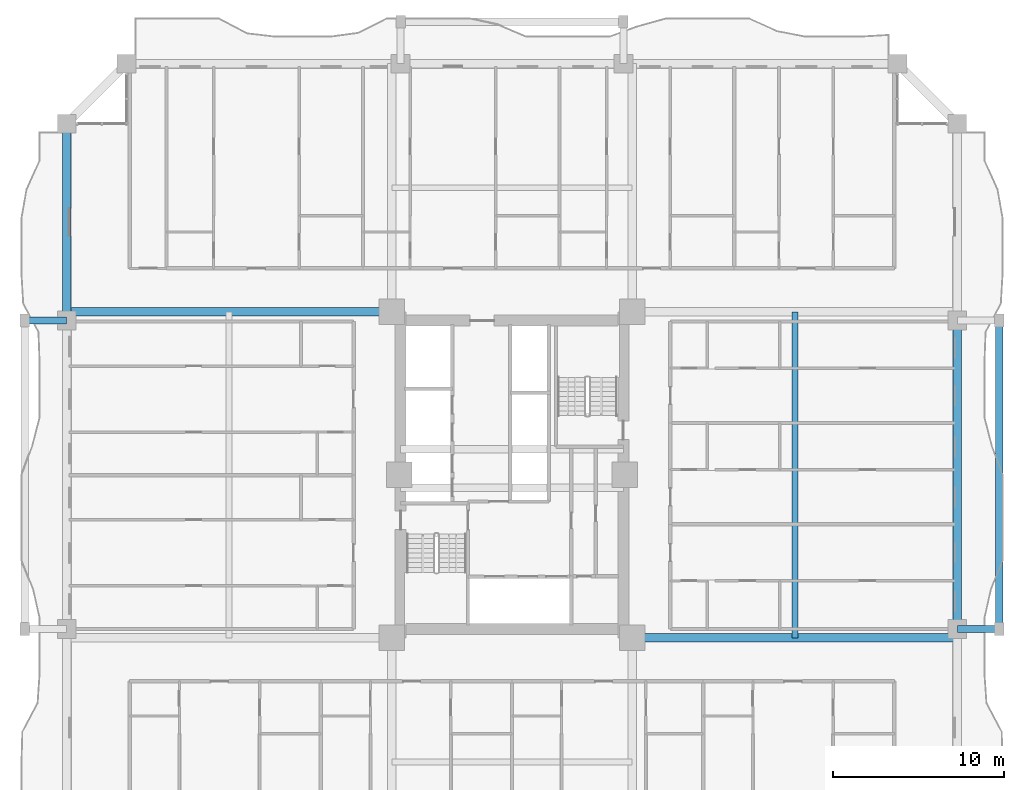
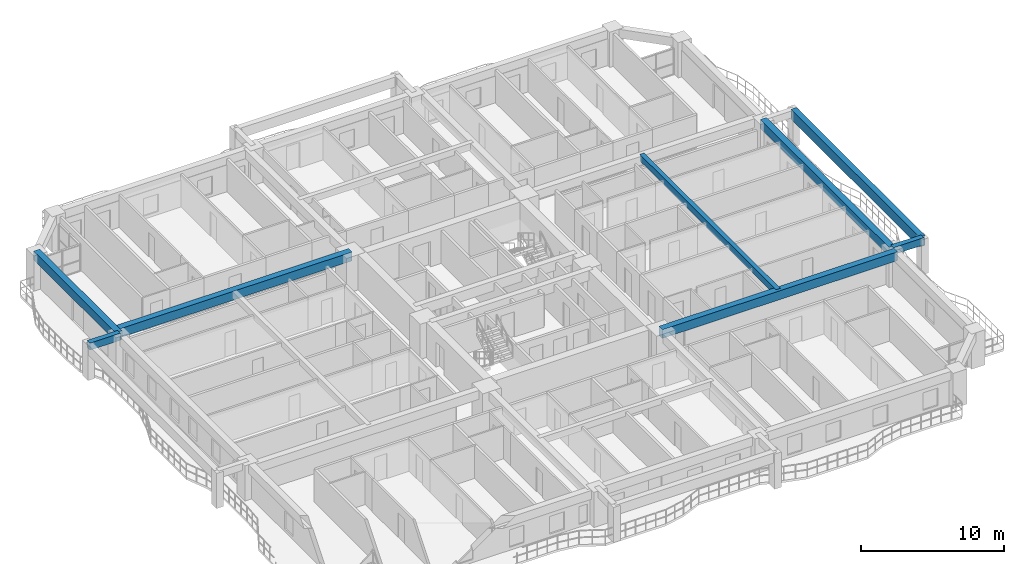
# One storey, part 5 of 27: 8 beams.
"""IFC4 building model written with IfcOpenShell, lengths in metres."""

from ifc_helpers import new_model, si_unit, direction, frame, origin, origin_2d, place, context, subcontext, project, spatial, rectangle, extrude, source, transform, mapped, material, material_profile, profile_set, type_object, element, save


model = new_model("IFC4")

# Units and contexts
model_context = context("Model", 3, precision=1e-05, world=origin(), true_north=direction((0.0, 1.0)))
body_context = subcontext(model_context, "Body", "Model", "MODEL_VIEW")
ifc_project = project(units=[si_unit("LENGTHUNIT", "METRE"), si_unit("AREAUNIT", "SQUARE_METRE"), si_unit("VOLUMEUNIT", "CUBIC_METRE"), si_unit("PLANEANGLEUNIT", "RADIAN"), si_unit("MASSUNIT", "GRAM", prefix="KILO")], contexts=[model_context])

# Site, building, storey
site_placement = place(None, origin())
site = spatial("IfcSite", under=ifc_project, at=site_placement, CompositionType="ELEMENT")
building_placement = place(site_placement, origin())
building = spatial("IfcBuilding", under=site, at=building_placement, Name="Saelheon Loggia Tower", CompositionType="ELEMENT")
storey_placement = place(building_placement, frame((0.0, 0.0, 43.39990234375)))
storey = spatial("IfcBuildingStorey", under=building, at=storey_placement, Name="L13", CompositionType="ELEMENT", Elevation=43.39990234375)

# Beams
ifc_material_1 = material(Name="Concrete C45/55", Category="concrete")
ifc_material_profile_1 = material_profile(ifc_material_1, rectangle(XDim=0.5, YDim=0.75, at=origin_2d()), Name="RC-500x750")
ifc_profile_set_1 = profile_set([ifc_material_profile_1], Name="Concrete C45/55")
beam_type_1 = type_object("IfcBeamType", Name="Beam_PerimGirder_RC500x750", PredefinedType="BEAM", material=ifc_profile_set_1)
shared_shape_1 = source(origin(), body_context, "Body", "SweptSolid", [
    extrude(rectangle(XDim=0.5, YDim=0.75, at=origin_2d()), origin(), (0.0, 0.0, 1.0), 11.5),
])
beam_1_placement = place(storey_placement, frame((12.0, 47.5, 2.625), z_axis=(0.0, -1.0, 0.0), x_axis=(1.0, 0.0, 0.0)))
element("IfcBeam", 1, at=beam_1_placement, inside=storey, type_object=beam_type_1, Name="L13 Perimeter Frame Girder 13", PredefinedType="BEAM", context=body_context, shape_type="MappedRepresentation", body=[
    mapped(shared_shape_1, transform((0.0, 0.0, 0.0), scale=1.0)),
])
shared_shape_2 = source(origin(), body_context, "Body", "SweptSolid", [
    extrude(rectangle(XDim=0.5, YDim=0.75, at=origin_2d()), origin(), (0.0, 0.0, 1.0), 18.0),
])
beam_2_placement = place(storey_placement, frame((64.0, 18.0, 2.625), z_axis=(0.0, 1.0, 0.0), x_axis=(-1.0, 0.0, 0.0)))
element("IfcBeam", 2, at=beam_2_placement, inside=storey, type_object=beam_type_1, Name="L13 Perimeter Frame Girder 06", PredefinedType="BEAM", context=body_context, shape_type="MappedRepresentation", body=[
    mapped(shared_shape_2, transform((0.0, 0.0, 0.0), scale=1.0)),
])
ifc_material_profile_2 = material_profile(ifc_material_1, rectangle(XDim=0.5, YDim=0.75, at=origin_2d()), Name="RC-500x750")
ifc_profile_set_2 = profile_set([ifc_material_profile_2], Name="Concrete C45/55")
beam_type_2 = type_object("IfcBeamType", Name="Beam_FloorGirder_RC500x750", PredefinedType="BEAM", material=ifc_profile_set_2)
shared_shape_3 = source(origin(), body_context, "Body", "SweptSolid", [
    extrude(rectangle(XDim=0.5, YDim=0.75, at=origin_2d()), origin(), (0.0, 0.0, 1.0), 18.97998046875),
])
for number, where, z_axis, x_axis, name in (
    (3, (30.97998046875, 36.52001953125, 2.625), (-1.0, 0.0, 0.0), (0.0, -1.0, 0.0), "L13 Radial Floor Girder RAD-NW-W"),
    (4, (45.02001953125, 17.47998046875, 2.625), (1.0, 0.0, 0.0), (0.0, 1.0, 0.0), "L13 Radial Floor Girder RAD-SE-E"),
):
    element("IfcBeam", number, at=place(storey_placement, frame(where, z_axis=z_axis, x_axis=x_axis)), inside=storey, type_object=beam_type_2, Name=name, PredefinedType="BEAM", context=body_context, shape_type="MappedRepresentation", body=[
        mapped(shared_shape_3, transform((0.0, 0.0, 0.0), scale=1.0)),
    ])
ifc_material_2 = material(Name="Concrete C40/50", Category="concrete")
ifc_material_profile_3 = material_profile(ifc_material_2, rectangle(XDim=0.35009765625, YDim=0.550048828125, at=origin_2d()), Name="RC-350x550")
ifc_profile_set_3 = profile_set([ifc_material_profile_3], Name="Concrete C40/50")
beam_type_3 = type_object("IfcBeamType", Name="Beam_Joist_RC350x550", PredefinedType="JOIST", material=ifc_profile_set_3)
shared_shape_4 = source(origin(), body_context, "Body", "SweptSolid", [
    extrude(rectangle(XDim=0.35009765625, YDim=0.550048828125, at=origin_2d()), origin(), (0.0, 0.0, 1.0), 19.0400390625),
])
beam_3_placement = place(storey_placement, frame((54.510009765625, 17.47998046875, 2.72509765625), z_axis=(0.0, 1.0, 0.0), x_axis=(-1.0, 0.0, 0.0)))
element("IfcBeam", 5, at=beam_3_placement, inside=storey, type_object=beam_type_3, Name="L13 East Floor Joist", PredefinedType="JOIST", context=body_context, shape_type="MappedRepresentation", body=[
    mapped(shared_shape_4, transform((0.0, 0.0, 0.0), scale=1.0)),
])
ifc_material_3 = material(Name="Precast Concrete C45/55", Category="concrete")
ifc_material_profile_4 = material_profile(ifc_material_3, rectangle(XDim=0.39990234375, YDim=0.60009765625, at=origin_2d()), Name="RC-400x600")
ifc_profile_set_4 = profile_set([ifc_material_profile_4], Name="Precast Concrete C45/55")
beam_type_4 = type_object("IfcBeamType", Name="Beam_LoggiaTie_RC400x600", PredefinedType="BEAM", material=ifc_profile_set_4)
shared_shape_5 = source(origin(), body_context, "Body", "SweptSolid", [
    extrude(rectangle(XDim=0.39990234375, YDim=0.60009765625, at=origin_2d()), origin(), (0.0, 0.0, 1.0), 2.449951171875),
])
for number, where, z_axis, x_axis, name in (
    (6, (64.0, 18.0, 2.7001953125), (1.0, 0.0, 0.0), (0.0, 1.0, 0.0), "L13 Loggia Frame Tie Beam LP-E1"),
    (7, (12.0, 36.0, 2.7001953125), (-1.0, 0.0, 0.0), (0.0, -1.0, 0.0), "L13 Loggia Frame Tie Beam LP-W2"),
):
    element("IfcBeam", number, at=place(storey_placement, frame(where, z_axis=z_axis, x_axis=x_axis)), inside=storey, type_object=beam_type_4, Name=name, PredefinedType="BEAM", context=body_context, shape_type="MappedRepresentation", body=[
        mapped(shared_shape_5, transform((0.0, 0.0, 0.0), scale=1.0)),
    ])
ifc_material_profile_5 = material_profile(ifc_material_3, rectangle(XDim=0.449951171875, YDim=0.85009765625, at=origin_2d()), Name="RC-450x850")
ifc_profile_set_5 = profile_set([ifc_material_profile_5], Name="Precast Concrete C45/55")
beam_type_5 = type_object("IfcBeamType", Name="Beam_LoggiaSpandrel_RC450x850", PredefinedType="SPANDREL", material=ifc_profile_set_5)
shared_shape_6 = source(origin(), body_context, "Body", "SweptSolid", [
    extrude(rectangle(XDim=0.449951171875, YDim=0.85009765625, at=origin_2d()), origin(), (0.0, 0.0, 1.0), 18.0),
])
beam_4_placement = place(storey_placement, frame((66.449951171875, 18.0, 2.5751953125), z_axis=(0.0, 1.0, 0.0), x_axis=(-1.0, 0.0, 0.0)))
element("IfcBeam", 8, at=beam_4_placement, inside=storey, type_object=beam_type_5, Name="L13 Loggia Spandrel Beam E", PredefinedType="SPANDREL", context=body_context, shape_type="MappedRepresentation", body=[
    mapped(shared_shape_6, transform((0.0, 0.0, 0.0), scale=1.0)),
])

save(model, "model.ifc")
